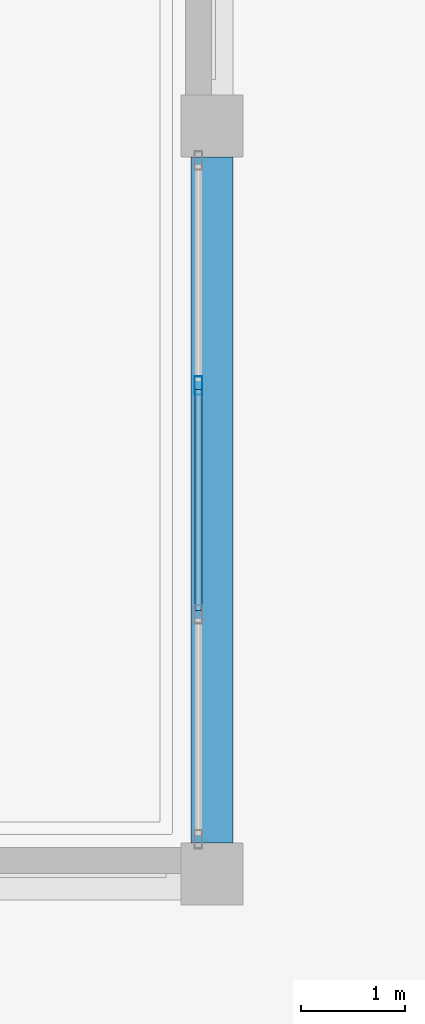
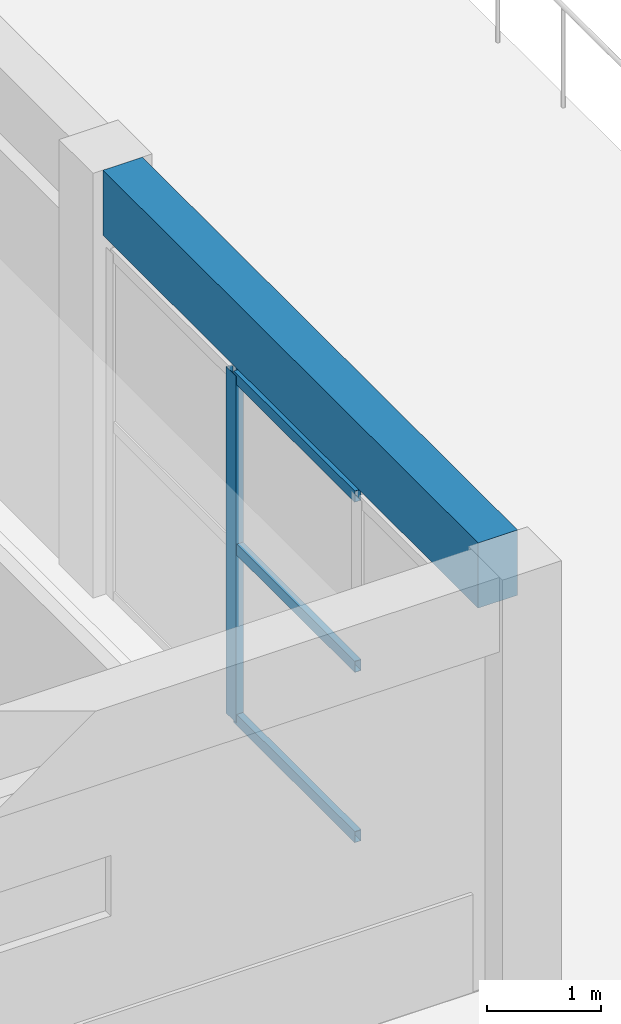
# One storey, part 15 of 155: 4 members, 1 beam, 1 element without a shape of its own.
"""IFC4 building model written with IfcOpenShell, lengths in metres."""

from ifc_helpers import new_model, si_unit, direction, frame, origin, origin_2d, place, context, subcontext, project, spatial, rectangle, hollow_rectangle, extrude, material, material_profile, profile_set, type_object, element, aggregate, save


model = new_model("IFC4")

# Units and contexts
model_context = context("Model", 3, precision=1e-05, world=origin(), true_north=direction((0.0, 1.0)))
body_context = subcontext(model_context, "Body", "Model", "MODEL_VIEW")
ifc_project = project(units=[si_unit("LENGTHUNIT", "METRE"), si_unit("AREAUNIT", "SQUARE_METRE"), si_unit("VOLUMEUNIT", "CUBIC_METRE"), si_unit("PLANEANGLEUNIT", "RADIAN"), si_unit("MASSUNIT", "GRAM", prefix="KILO")], contexts=[model_context])

# Site, building, storey
site_placement = place(None, origin())
site = spatial("IfcSite", under=ifc_project, at=site_placement, CompositionType="ELEMENT")
building_placement = place(site_placement, origin())
building = spatial("IfcBuilding", under=site, at=building_placement, Name="Bramvelor Terrace Health Centre", CompositionType="ELEMENT")
storey_placement = place(building_placement, origin())
storey = spatial("IfcBuildingStorey", under=building, at=storey_placement, Name="L01", CompositionType="ELEMENT", Elevation=0.0)

# Beam
ifc_material_1 = material(Name="Concrete C40/50", Category="concrete")
ifc_material_profile_1 = material_profile(ifc_material_1, rectangle(XDim=0.39990234375, YDim=0.699951171875, at=origin_2d()), Name="RC 400x700")
ifc_profile_set_1 = profile_set([ifc_material_profile_1], Name="Concrete C40/50")
beam_type = type_object("IfcBeamType", Name="BM-RC-G700", PredefinedType="BEAM", material=ifc_profile_set_1)
beam_placement = place(storey_placement, frame((21.60009765625, 29.10009765625, 4.2099609375), z_axis=(0.0, 1.0, 0.0), x_axis=(-1.0, 0.0, 0.0)))
element("IfcBeam", 1, at=beam_placement, inside=storey, type_object=beam_type, Name="L01 Floor Girder", PredefinedType="BEAM", context=body_context, shape_type="SweptSolid", body=[
    extrude(rectangle(XDim=0.39990234375, YDim=0.699951171875, at=origin_2d()), origin(), (0.0, 0.0, 1.0), 6.599853515625),
])

# Curtain wall, members
ifc_material_2 = material(Name="Anodized aluminium and double low-E glass", Category="aluminium")
curtain_wall_type = type_object("IfcCurtainWallType", Name="CW-SYS-02", PredefinedType="NOTDEFINED", material=ifc_material_2)
curtain_wall_placement = place(storey_placement, origin())
curtain_wall = element("IfcCurtainWall", 2, at=curtain_wall_placement, inside=storey, type_object=curtain_wall_type, Name="L01 Unitized Curtain Wall 5", PredefinedType="NOTDEFINED")
ifc_material_3 = material(Name="Anodized aluminium 6063-T6", Category="aluminium")
ifc_material_profile_2 = material_profile(ifc_material_3, hollow_rectangle(XDim=0.074951171875, YDim=0.179931640625, WallThickness=0.00341796875, at=origin_2d()), Name="ALU-MUL 75x180x3.5")
ifc_profile_set_2 = profile_set([ifc_material_profile_2], Name="Anodized aluminium 6063-T6")
member_type_1 = type_object("IfcMemberType", Name="CW-MUL-65x180", PredefinedType="MULLION", material=ifc_profile_set_2)
member_1_placement = place(storey_placement, frame((21.469970703125, 33.501708984375, 0.0), z_axis=(0.0, 0.0, 1.0), x_axis=(1.0, 0.0, 0.0)))
member_1 = element("IfcMember", 3, at=member_1_placement, type_object=member_type_1, Name="CW-02 mullion 2", PredefinedType="MULLION", context=body_context, shape_type="SweptSolid", body=[
    extrude(hollow_rectangle(XDim=0.074951171875, YDim=0.179931640625, WallThickness=0.00341796875, at=origin_2d()), origin(), (0.0, 0.0, 1.0), 3.719970703125),
])
ifc_material_4 = material(Name="Anodized aluminium 6063-T6", Category="aluminium")
ifc_material_profile_3 = material_profile(ifc_material_4, hollow_rectangle(XDim=0.06494140625, YDim=0.1201171875, WallThickness=0.0029296875, at=origin_2d()), Name="ALU-TRN 65x120x3.0")
ifc_profile_set_3 = profile_set([ifc_material_profile_3], Name="Anodized aluminium 6063-T6")
member_type_2 = type_object("IfcMemberType", Name="CW-TRN-65x150", PredefinedType="USERDEFINED", material=ifc_profile_set_3)
member_2_placement = place(storey_placement, frame((21.469970703125, 33.464111328125, 0.032470703125), z_axis=(0.0, -1.0, 0.0), x_axis=(1.0, 0.0, 0.0)))
member_2 = element("IfcMember", 4, at=member_2_placement, type_object=member_type_2, Name="CW-02 transom 2.1", ObjectType="TRANSOM", PredefinedType="USERDEFINED", context=body_context, shape_type="SweptSolid", body=[
    extrude(hollow_rectangle(XDim=0.06494140625, YDim=0.1201171875, WallThickness=0.0029296875, at=origin_2d()), origin(), (0.0, 0.0, 1.0), 2.128173828125),
])
member_3_placement = place(storey_placement, frame((21.469970703125, 33.464111328125, 1.860107421875), z_axis=(0.0, -1.0, 0.0), x_axis=(1.0, 0.0, 0.0)))
member_3 = element("IfcMember", 5, at=member_3_placement, type_object=member_type_2, Name="CW-02 transom 2.2", ObjectType="TRANSOM", PredefinedType="USERDEFINED", context=body_context, shape_type="SweptSolid", body=[
    extrude(hollow_rectangle(XDim=0.06494140625, YDim=0.1201171875, WallThickness=0.0029296875, at=origin_2d()), origin(), (0.0, 0.0, 1.0), 2.128173828125),
])
member_4_placement = place(storey_placement, frame((21.469970703125, 33.464111328125, 3.6875), z_axis=(0.0, -1.0, 0.0), x_axis=(1.0, 0.0, 0.0)))
member_4 = element("IfcMember", 6, at=member_4_placement, type_object=member_type_2, Name="CW-02 transom 2.3", ObjectType="TRANSOM", PredefinedType="USERDEFINED", context=body_context, shape_type="SweptSolid", body=[
    extrude(hollow_rectangle(XDim=0.06494140625, YDim=0.1201171875, WallThickness=0.0029296875, at=origin_2d()), origin(), (0.0, 0.0, 1.0), 2.128173828125),
])
aggregate(curtain_wall, [member_1, member_2, member_3, member_4])

save(model, "model.ifc")
